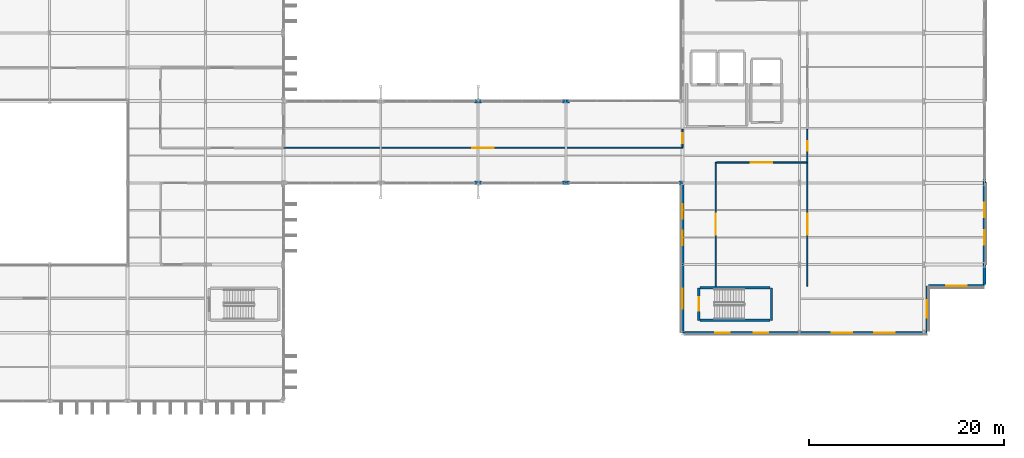
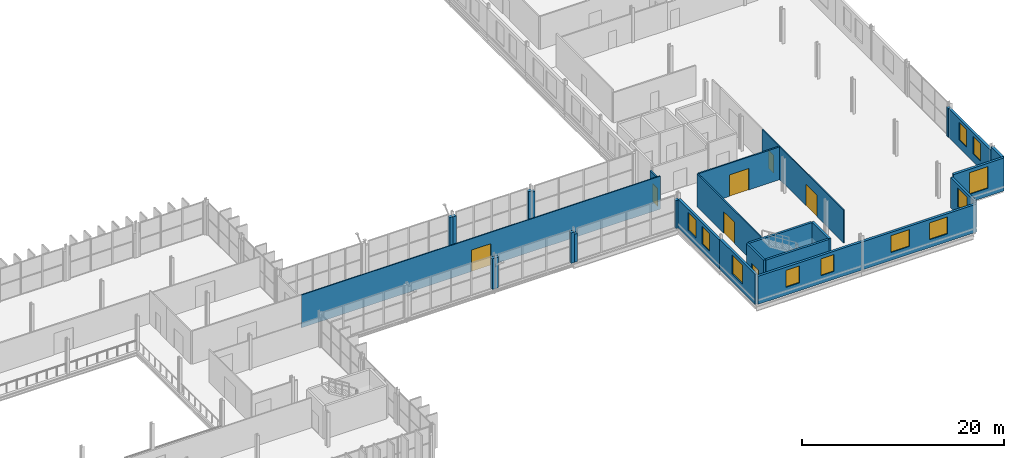
# One storey, part 86 of 101: 28 walls, 11 windows, 7 doors, 18 openings.
"""IFC4 building model written with IfcOpenShell, lengths in metres."""

from ifc_helpers import new_model, si_unit, direction, frame, frame_2d, origin, place, context, subcontext, project, spatial, rectangle, extrude, material, layer, layer_set, type_object, element, fill, save


model = new_model("IFC4")

# Units and contexts
model_context = context("Model", 3, precision=1e-05, world=origin(), true_north=direction((0.0, 1.0)))
body_context = subcontext(model_context, "Body", "Model", "MODEL_VIEW")
ifc_project = project(units=[si_unit("LENGTHUNIT", "METRE"), si_unit("AREAUNIT", "SQUARE_METRE"), si_unit("VOLUMEUNIT", "CUBIC_METRE"), si_unit("PLANEANGLEUNIT", "RADIAN"), si_unit("MASSUNIT", "GRAM", prefix="KILO")], contexts=[model_context])

# Site, building, storey
site_placement = place(None, origin())
site = spatial("IfcSite", under=ifc_project, at=site_placement, CompositionType="ELEMENT")
building_placement = place(site_placement, origin())
building = spatial("IfcBuilding", under=site, at=building_placement, Name="Vekula Escarpment Museum", CompositionType="ELEMENT")
storey_placement = place(building_placement, frame((0.0, 0.0, 18.0)))
storey = spatial("IfcBuildingStorey", under=building, at=storey_placement, Name="L04", CompositionType="ELEMENT", Elevation=18.0)

# Walls
ifc_material_1 = material(Name="Inkisi arkosic sandstone masonry", Category="masonry")
ifc_layer_1 = layer(ifc_material_1, 0.35009765625)
ifc_layer_set_1 = layer_set([ifc_layer_1], Name="Inkisi arkosic sandstone masonry")
wall_type_1 = type_object("IfcWallType", Name="WL-ALM-350", PredefinedType="SOLIDWALL", material=ifc_layer_set_1)
wall_1_placement = place(storey_placement, frame((145.639892578125, 68.0, 0.0), z_axis=(0.0, 0.0, 1.0), x_axis=(1.0, 0.0, 0.0)))
element("IfcWall", 1, at=wall_1_placement, inside=storey, type_object=wall_type_1, Name="Facade Jamb Pier L04-0717B", PredefinedType="SOLIDWALL", context=body_context, shape_type="SweptSolid", body=[
    extrude(rectangle(XDim=0.360107421875, YDim=0.35009765625, at=frame_2d((0.18017578125, 0.0))), origin(), (0.0, 0.0, 1.0), 3.705078125),
])
for number, where, z_axis, x_axis, name in (
    (2, (146.0, 68.0, 0.0), (0.0, 0.0, 1.0), (1.0, 0.0, 0.0), "Facade Jamb Pier L04-0718A"),
    (3, (154.639892578125, 68.0, 0.0), (0.0, 0.0, 1.0), (1.0, 0.0, 0.0), "Facade Jamb Pier L04-0719B"),
):
    element("IfcWall", number, at=place(storey_placement, frame(where, z_axis=z_axis, x_axis=x_axis)), inside=storey, type_object=wall_type_1, Name=name, PredefinedType="SOLIDWALL", context=body_context, shape_type="SweptSolid", body=[
        extrude(rectangle(XDim=0.360107421875, YDim=0.35009765625, at=frame_2d((0.18017578125, 0.0))), origin(), (0.0, 0.0, 1.0), 3.68505859375),
    ])
for number, where, z_axis, x_axis, name in (
    (4, (155.0, 68.0, 0.0), (0.0, 0.0, 1.0), (1.0, 0.0, 0.0), "Facade Jamb Pier L04-0720A"),
    (5, (166.639892578125, 68.0, 0.0), (0.0, 0.0, 1.0), (1.0, 0.0, 0.0), "Facade Jamb Pier L04-0721B"),
):
    element("IfcWall", number, at=place(storey_placement, frame(where, z_axis=z_axis, x_axis=x_axis)), inside=storey, type_object=wall_type_1, Name=name, PredefinedType="SOLIDWALL", context=body_context, shape_type="SweptSolid", body=[
        extrude(rectangle(XDim=0.360107421875, YDim=0.35009765625, at=frame_2d((0.18017578125, 0.0))), origin(), (0.0, 0.0, 1.0), 3.385009765625),
    ])
wall_2_placement = place(storey_placement, frame((198.0, 68.0, 0.0), z_axis=(0.0, 0.0, 1.0), x_axis=(0.0, 1.0, 0.0)))
element("IfcWall", 6, at=wall_2_placement, inside=storey, type_object=wall_type_1, Name="Facade Jamb Pier L04-0730A", PredefinedType="SOLIDWALL", context=body_context, shape_type="SweptSolid", body=[
    extrude(rectangle(XDim=0.360107421875, YDim=0.35009765625, at=frame_2d((0.18017578125, 0.0))), origin(), (0.0, 0.0, 1.0), 3.4951171875),
])
wall_3_placement = place(storey_placement, frame((155.360107421875, 76.39990234375, 0.0), z_axis=(0.0, 0.0, 1.0), x_axis=(-1.0, 0.0, 0.0)))
element("IfcWall", 7, at=wall_3_placement, inside=storey, type_object=wall_type_1, Name="Facade Jamb Pier L04-0750B", PredefinedType="SOLIDWALL", context=body_context, shape_type="SweptSolid", body=[
    extrude(rectangle(XDim=0.360107421875, YDim=0.35009765625, at=frame_2d((0.18017578125, 0.0))), origin(), (0.0, 0.0, 1.0), 3.385009765625),
])
for number, where, z_axis, x_axis, name in (
    (8, (155.0, 76.39990234375, 0.0), (0.0, 0.0, 1.0), (-1.0, 0.0, 0.0), "Facade Jamb Pier L04-0751A"),
    (9, (146.360107421875, 76.39990234375, 0.0), (0.0, 0.0, 1.0), (-1.0, 0.0, 0.0), "Facade Jamb Pier L04-0752B"),
):
    element("IfcWall", number, at=place(storey_placement, frame(where, z_axis=z_axis, x_axis=x_axis)), inside=storey, type_object=wall_type_1, Name=name, PredefinedType="SOLIDWALL", context=body_context, shape_type="SweptSolid", body=[
        extrude(rectangle(XDim=0.360107421875, YDim=0.35009765625, at=frame_2d((0.18017578125, 0.0))), origin(), (0.0, 0.0, 1.0), 3.574951171875),
    ])
wall_4_placement = place(storey_placement, frame((146.0, 76.39990234375, 0.0), z_axis=(0.0, 0.0, 1.0), x_axis=(-1.0, 0.0, 0.0)))
element("IfcWall", 10, at=wall_4_placement, inside=storey, type_object=wall_type_1, Name="Facade Jamb Pier L04-0753A", PredefinedType="SOLIDWALL", context=body_context, shape_type="SweptSolid", body=[
    extrude(rectangle(XDim=0.360107421875, YDim=0.35009765625, at=frame_2d((0.18017578125, 0.0))), origin(), (0.0, 0.0, 1.0), 3.594970703125),
])

# Wall, opening, door
ifc_material_2 = material(Name="Concrete C35/45", Category="concrete")
ifc_layer_2 = layer(ifc_material_2, 0.25)
ifc_layer_set_2 = layer_set([ifc_layer_2], Name="Concrete C35/45")
wall_type_2 = type_object("IfcWallType", Name="WL-CORE-250", PredefinedType="SHEAR", material=ifc_layer_set_2)
wall_5_placement = place(storey_placement, frame((168.675048828125, 53.875, 0.0), z_axis=(0.0, 0.0, 1.0), x_axis=(0.0, 1.0, 0.0)))
wall_5 = element("IfcWall", 11, at=wall_5_placement, inside=storey, type_object=wall_type_2, Name="Stair Core Wall ST-02 L04 W", PredefinedType="SHEAR", context=body_context, shape_type="SweptSolid", body=[
    extrude(rectangle(XDim=3.35009765625, YDim=0.25, at=frame_2d((1.675048828125, 0.0))), origin(), (0.0, 0.0, 1.0), 3.97998046875),
])
opening_1_placement = place(wall_5_placement, frame((0.97509765625, 0.0, 0.0)))
opening_1 = element("IfcOpeningElement", 12, at=opening_1_placement, cuts=wall_5, Name="Opening DR-FD60", PredefinedType="OPENING", context=body_context, shape_type="SweptSolid", body=[
    extrude(rectangle(XDim=1.39990234375, YDim=2.199951171875, at=frame_2d((0.699951171875, 1.10009765625))), frame((0.0, 0.135009765625, 0.0), z_axis=(0.0, -1.0, 0.0), x_axis=(1.0, 0.0, 0.0)), (0.0, 0.0, 1.0), 0.27001953125),
])
ifc_material_3 = material(Name="Fire-rated steel stair door", Category="steel")
door_type_1 = type_object("IfcDoorType", Name="DR-STAIR-1400x2200", OperationType="NOTDEFINED", PredefinedType="DOOR", material=ifc_material_3)
door_1_placement = place(opening_1_placement, origin())
door_1 = element("IfcDoor", 13, at=door_1_placement, inside=storey, type_object=door_type_1, Name="Protected Exit Stair Door ST-02 L04", OperationType="SINGLE_SWING_RIGHT", OverallHeight=2.199951171875, OverallWidth=1.39990234375, PredefinedType="DOOR", context=body_context, shape_type="SweptSolid", body=[
    extrude(rectangle(XDim=1.39990234375, YDim=2.199951171875, at=frame_2d((0.699951171875, 1.10009765625))), frame((0.0, 0.02490234375, 0.0), z_axis=(0.0, -1.0, 0.0), x_axis=(1.0, 0.0, 0.0)), (0.0, 0.0, 1.0), 0.050048828125),
])
fill(opening_1, door_1)

# Walls
wall_6_placement = place(storey_placement, frame((176.125, 53.875, 0.0), z_axis=(0.0, 0.0, 1.0), x_axis=(0.0, 1.0, 0.0)))
element("IfcWall", 14, at=wall_6_placement, inside=storey, type_object=wall_type_2, Name="Stair Core Wall ST-02 L04 E", PredefinedType="SHEAR", context=body_context, shape_type="SweptSolid", body=[
    extrude(rectangle(XDim=3.35009765625, YDim=0.25, at=frame_2d((1.675048828125, 0.0))), origin(), (0.0, 0.0, 1.0), 3.97998046875),
])
for number, where, z_axis, x_axis, name in (
    (15, (168.803955078125, 53.875, 0.0), (0.0, 0.0, 1.0), (1.0, 0.0, 0.0), "Stair Core Wall ST-02 L04 S"),
    (16, (168.803955078125, 57.22509765625, 0.0), (0.0, 0.0, 1.0), (1.0, 0.0, 0.0), "Stair Core Wall ST-02 L04 N"),
):
    element("IfcWall", number, at=place(storey_placement, frame(where, z_axis=z_axis, x_axis=x_axis)), inside=storey, type_object=wall_type_2, Name=name, PredefinedType="SHEAR", context=body_context, shape_type="SweptSolid", body=[
        extrude(rectangle(XDim=7.192138671875, YDim=0.25, at=frame_2d((3.59619140625, 0.0))), origin(), (0.0, 0.0, 1.0), 3.97998046875),
    ])

# Wall, openings, windows
ifc_material_4 = material(Name="Inkisi arkosic sandstone masonry", Category="masonry")
ifc_layer_3 = layer(ifc_material_4, 0.280029296875)
ifc_layer_set_3 = layer_set([ifc_layer_3], Name="Inkisi arkosic sandstone masonry")
wall_type_3 = type_object("IfcWallType", Name="WL-CUM-280", PredefinedType="SOLIDWALL", material=ifc_layer_set_3)
wall_7_placement = place(storey_placement, frame((167.0, 59.60009765625, 0.0), z_axis=(0.0, 0.0, 1.0), x_axis=(0.0, 1.0, 0.0)))
wall_7 = element("IfcWall", 17, at=wall_7_placement, inside=storey, type_object=wall_type_3, Name="Exterior Wall WL-EXT-L04-0722", PredefinedType="SOLIDWALL", context=body_context, shape_type="SweptSolid", body=[
    extrude(rectangle(XDim=8.220947265625, YDim=0.280029296875, at=frame_2d((4.1103515625, 0.0))), origin(), (0.0, 0.0, 1.0), 3.4951171875),
])
opening_2_placement = place(wall_7_placement, frame((1.990234375, 0.0, 0.949951171875)))
opening_2 = element("IfcOpeningElement", 18, at=opening_2_placement, cuts=wall_7, Name="Opening WN-06", PredefinedType="OPENING", context=body_context, shape_type="SweptSolid", body=[
    extrude(rectangle(XDim=1.5, YDim=2.14990234375, at=frame_2d((0.75, 1.074951171875))), frame((0.0, 0.14990234375, 0.0), z_axis=(0.0, -1.0, 0.0), x_axis=(1.0, 0.0, 0.0)), (0.0, 0.0, 1.0), 0.300048828125),
])
opening_3_placement = place(wall_7_placement, frame((4.730712890625, 0.0, 0.949951171875)))
opening_3 = element("IfcOpeningElement", 19, at=opening_3_placement, cuts=wall_7, Name="Opening WN-06", PredefinedType="OPENING", context=body_context, shape_type="SweptSolid", body=[
    extrude(rectangle(XDim=1.5, YDim=2.14990234375, at=frame_2d((0.75, 1.074951171875))), frame((0.0, 0.14990234375, 0.0), z_axis=(0.0, -1.0, 0.0), x_axis=(1.0, 0.0, 0.0)), (0.0, 0.0, 1.0), 0.300048828125),
])
ifc_material_5 = material(Name="Double solar-control low-E glass", Category="glass")
window_type_1 = type_object("IfcWindowType", Name="WN-CUMBA-15x24", PartitioningType="SINGLE_PANEL", PredefinedType="WINDOW", material=ifc_material_5)
window_1_placement = place(opening_2_placement, origin())
window_1 = element("IfcWindow", 20, at=window_1_placement, inside=storey, type_object=window_type_1, Name="Window L04-0367", OverallHeight=2.14990234375, OverallWidth=1.5, PartitioningType="SINGLE_PANEL", PredefinedType="WINDOW", context=body_context, shape_type="SweptSolid", body=[
    extrude(rectangle(XDim=1.5, YDim=2.14990234375, at=frame_2d((0.75, 1.074951171875))), frame((0.0, 0.030029296875, 0.0), z_axis=(0.0, -1.0, 0.0), x_axis=(1.0, 0.0, 0.0)), (0.0, 0.0, 1.0), 0.06005859375),
])
fill(opening_2, window_1)
window_2_placement = place(opening_3_placement, origin())
window_2 = element("IfcWindow", 21, at=window_2_placement, inside=storey, type_object=window_type_1, Name="Window L04-0368", OverallHeight=2.14990234375, OverallWidth=1.5, PartitioningType="SINGLE_PANEL", PredefinedType="WINDOW", context=body_context, shape_type="SweptSolid", body=[
    extrude(rectangle(XDim=1.5, YDim=2.14990234375, at=frame_2d((0.75, 1.074951171875))), frame((0.0, 0.030029296875, 0.0), z_axis=(0.0, -1.0, 0.0), x_axis=(1.0, 0.0, 0.0)), (0.0, 0.0, 1.0), 0.06005859375),
])
fill(opening_3, window_2)

# Wall, opening, window
wall_8_placement = place(storey_placement, frame((167.0, 52.60009765625, 0.0), z_axis=(0.0, 0.0, 1.0), x_axis=(0.0, 1.0, 0.0)))
wall_8 = element("IfcWall", 22, at=wall_8_placement, inside=storey, type_object=wall_type_3, Name="Exterior Wall WL-EXT-L04-0723", PredefinedType="SOLIDWALL", context=body_context, shape_type="SweptSolid", body=[
    extrude(rectangle(XDim=7.0, YDim=0.280029296875, at=frame_2d((3.5, 0.0))), origin(), (0.0, 0.0, 1.0), 3.64501953125),
])
opening_4_placement = place(wall_8_placement, frame((2.449951171875, 0.0, 0.949951171875)))
opening_4 = element("IfcOpeningElement", 23, at=opening_4_placement, cuts=wall_8, Name="Opening WN-08", PredefinedType="OPENING", context=body_context, shape_type="SweptSolid", body=[
    extrude(rectangle(XDim=2.10009765625, YDim=2.2900390625, at=frame_2d((1.050048828125, 1.14501953125))), frame((0.0, 0.14990234375, 0.0), z_axis=(0.0, -1.0, 0.0), x_axis=(1.0, 0.0, 0.0)), (0.0, 0.0, 1.0), 0.300048828125),
])
ifc_material_6 = material(Name="Double solar-control low-E glass", Category="glass")
window_type_2 = type_object("IfcWindowType", Name="WN-CUMBA-21x28", PartitioningType="DOUBLE_PANEL_VERTICAL", PredefinedType="WINDOW", material=ifc_material_6)
window_3_placement = place(opening_4_placement, origin())
window_3 = element("IfcWindow", 24, at=window_3_placement, inside=storey, type_object=window_type_2, Name="Window L04-0369", OverallHeight=2.2900390625, OverallWidth=2.10009765625, PartitioningType="SINGLE_PANEL", PredefinedType="WINDOW", context=body_context, shape_type="SweptSolid", body=[
    extrude(rectangle(XDim=2.10009765625, YDim=2.2900390625, at=frame_2d((1.050048828125, 1.14501953125))), frame((0.0, 0.030029296875, 0.0), z_axis=(0.0, -1.0, 0.0), x_axis=(1.0, 0.0, 0.0)), (0.0, 0.0, 1.0), 0.06005859375),
])
fill(opening_4, window_3)

# Wall, openings, windows
wall_9_placement = place(storey_placement, frame((179.0, 52.60009765625, 0.0), z_axis=(0.0, 0.0, 1.0), x_axis=(-1.0, 0.0, 0.0)))
wall_9 = element("IfcWall", 25, at=wall_9_placement, inside=storey, type_object=wall_type_3, Name="Exterior Wall WL-EXT-L04-0724", PredefinedType="SOLIDWALL", context=body_context, shape_type="SweptSolid", body=[
    extrude(rectangle(XDim=11.85595703125, YDim=0.280029296875, at=frame_2d((5.927978515625, 0.0))), origin(), (0.0, 0.0, 1.0), 3.385009765625),
])
opening_5_placement = place(wall_9_placement, frame((3.201904296875, 0.0, 0.949951171875)))
opening_5 = element("IfcOpeningElement", 26, at=opening_5_placement, cuts=wall_9, Name="Opening WN-06", PredefinedType="OPENING", context=body_context, shape_type="SweptSolid", body=[
    extrude(rectangle(XDim=1.5, YDim=2.0400390625, at=frame_2d((0.75, 1.02001953125))), frame((0.0, 0.14990234375, 0.0), z_axis=(0.0, -1.0, 0.0), x_axis=(1.0, 0.0, 0.0)), (0.0, 0.0, 1.0), 0.300048828125),
])
opening_6_placement = place(wall_9_placement, frame((7.154052734375, 0.0, 0.949951171875)))
opening_6 = element("IfcOpeningElement", 27, at=opening_6_placement, cuts=wall_9, Name="Opening WN-06", PredefinedType="OPENING", context=body_context, shape_type="SweptSolid", body=[
    extrude(rectangle(XDim=1.5, YDim=2.0400390625, at=frame_2d((0.75, 1.02001953125))), frame((0.0, 0.14990234375, 0.0), z_axis=(0.0, -1.0, 0.0), x_axis=(1.0, 0.0, 0.0)), (0.0, 0.0, 1.0), 0.300048828125),
])
window_4_placement = place(opening_5_placement, origin())
window_4 = element("IfcWindow", 28, at=window_4_placement, inside=storey, type_object=window_type_1, Name="Window L04-0370", OverallHeight=2.0400390625, OverallWidth=1.5, PartitioningType="SINGLE_PANEL", PredefinedType="WINDOW", context=body_context, shape_type="SweptSolid", body=[
    extrude(rectangle(XDim=1.5, YDim=2.0400390625, at=frame_2d((0.75, 1.02001953125))), frame((0.0, 0.030029296875, 0.0), z_axis=(0.0, -1.0, 0.0), x_axis=(1.0, 0.0, 0.0)), (0.0, 0.0, 1.0), 0.06005859375),
])
fill(opening_5, window_4)
window_5_placement = place(opening_6_placement, origin())
window_5 = element("IfcWindow", 29, at=window_5_placement, inside=storey, type_object=window_type_1, Name="Window L04-0371", OverallHeight=2.0400390625, OverallWidth=1.5, PartitioningType="SINGLE_PANEL", PredefinedType="WINDOW", context=body_context, shape_type="SweptSolid", body=[
    extrude(rectangle(XDim=1.5, YDim=2.0400390625, at=frame_2d((0.75, 1.02001953125))), frame((0.0, 0.030029296875, 0.0), z_axis=(0.0, -1.0, 0.0), x_axis=(1.0, 0.0, 0.0)), (0.0, 0.0, 1.0), 0.06005859375),
])
fill(opening_6, window_5)

wall_10_placement = place(storey_placement, frame((192.110107421875, 52.60009765625, 0.0), z_axis=(0.0, 0.0, 1.0), x_axis=(-1.0, 0.0, 0.0)))
wall_10 = element("IfcWall", 30, at=wall_10_placement, inside=storey, type_object=wall_type_3, Name="Exterior Wall WL-EXT-L04-0725", PredefinedType="SOLIDWALL", context=body_context, shape_type="SweptSolid", body=[
    extrude(rectangle(XDim=13.110107421875, YDim=0.280029296875, at=frame_2d((6.55517578125, 0.0))), origin(), (0.0, 0.0, 1.0), 3.385009765625),
])
opening_7_placement = place(wall_10_placement, frame((3.320068359375, 0.0, 0.949951171875)))
opening_7 = element("IfcOpeningElement", 31, at=opening_7_placement, cuts=wall_10, Name="Opening WN-08", PredefinedType="OPENING", context=body_context, shape_type="SweptSolid", body=[
    extrude(rectangle(XDim=2.10009765625, YDim=2.0400390625, at=frame_2d((1.050048828125, 1.02001953125))), frame((0.0, 0.14990234375, 0.0), z_axis=(0.0, -1.0, 0.0), x_axis=(1.0, 0.0, 0.0)), (0.0, 0.0, 1.0), 0.300048828125),
])
opening_8_placement = place(wall_10_placement, frame((7.68994140625, 0.0, 0.949951171875)))
opening_8 = element("IfcOpeningElement", 32, at=opening_8_placement, cuts=wall_10, Name="Opening WN-08", PredefinedType="OPENING", context=body_context, shape_type="SweptSolid", body=[
    extrude(rectangle(XDim=2.10009765625, YDim=2.0400390625, at=frame_2d((1.050048828125, 1.02001953125))), frame((0.0, 0.14990234375, 0.0), z_axis=(0.0, -1.0, 0.0), x_axis=(1.0, 0.0, 0.0)), (0.0, 0.0, 1.0), 0.300048828125),
])
window_6_placement = place(opening_7_placement, origin())
window_6 = element("IfcWindow", 33, at=window_6_placement, inside=storey, type_object=window_type_2, Name="Window L04-0372", OverallHeight=2.0400390625, OverallWidth=2.10009765625, PartitioningType="SINGLE_PANEL", PredefinedType="WINDOW", context=body_context, shape_type="SweptSolid", body=[
    extrude(rectangle(XDim=2.10009765625, YDim=2.0400390625, at=frame_2d((1.050048828125, 1.02001953125))), frame((0.0, 0.030029296875, 0.0), z_axis=(0.0, -1.0, 0.0), x_axis=(1.0, 0.0, 0.0)), (0.0, 0.0, 1.0), 0.06005859375),
])
fill(opening_7, window_6)
window_7_placement = place(opening_8_placement, origin())
window_7 = element("IfcWindow", 34, at=window_7_placement, inside=storey, type_object=window_type_2, Name="Window L04-0373", OverallHeight=2.0400390625, OverallWidth=2.10009765625, PartitioningType="SINGLE_PANEL", PredefinedType="WINDOW", context=body_context, shape_type="SweptSolid", body=[
    extrude(rectangle(XDim=2.10009765625, YDim=2.0400390625, at=frame_2d((1.050048828125, 1.02001953125))), frame((0.0, 0.030029296875, 0.0), z_axis=(0.0, -1.0, 0.0), x_axis=(1.0, 0.0, 0.0)), (0.0, 0.0, 1.0), 0.06005859375),
])
fill(opening_8, window_7)

# Wall, opening, window
wall_11_placement = place(storey_placement, frame((192.110107421875, 57.39990234375, 0.0), z_axis=(0.0, 0.0, 1.0), x_axis=(0.0, -1.0, 0.0)))
wall_11 = element("IfcWall", 35, at=wall_11_placement, inside=storey, type_object=wall_type_3, Name="Exterior Wall WL-EXT-L04-0726", PredefinedType="SOLIDWALL", context=body_context, shape_type="SweptSolid", body=[
    extrude(rectangle(XDim=4.656005859375, YDim=0.280029296875, at=frame_2d((2.328125, 0.0))), origin(), (0.0, 0.0, 1.0), 3.64501953125),
])
opening_9_placement = place(wall_11_placement, frame((1.427978515625, 0.0, 0.949951171875)))
opening_9 = element("IfcOpeningElement", 36, at=opening_9_placement, cuts=wall_11, Name="Opening WN-07", PredefinedType="OPENING", context=body_context, shape_type="SweptSolid", body=[
    extrude(rectangle(XDim=1.800048828125, YDim=2.2900390625, at=frame_2d((0.89990234375, 1.14501953125))), frame((0.0, 0.14990234375, 0.0), z_axis=(0.0, -1.0, 0.0), x_axis=(1.0, 0.0, 0.0)), (0.0, 0.0, 1.0), 0.300048828125),
])
ifc_material_7 = material(Name="Double solar-control low-E glass", Category="glass")
window_type_3 = type_object("IfcWindowType", Name="WN-CUMBA-18x26", PartitioningType="DOUBLE_PANEL_VERTICAL", PredefinedType="WINDOW", material=ifc_material_7)
window_8_placement = place(opening_9_placement, origin())
window_8 = element("IfcWindow", 37, at=window_8_placement, inside=storey, type_object=window_type_3, Name="Window L04-0374", OverallHeight=2.2900390625, OverallWidth=1.800048828125, PartitioningType="SINGLE_PANEL", PredefinedType="WINDOW", context=body_context, shape_type="SweptSolid", body=[
    extrude(rectangle(XDim=1.800048828125, YDim=2.2900390625, at=frame_2d((0.89990234375, 1.14501953125))), frame((0.0, 0.030029296875, 0.0), z_axis=(0.0, -1.0, 0.0), x_axis=(1.0, 0.0, 0.0)), (0.0, 0.0, 1.0), 0.06005859375),
])
fill(opening_9, window_8)

wall_12_placement = place(storey_placement, frame((198.0, 57.39990234375, 0.0), z_axis=(0.0, 0.0, 1.0), x_axis=(-1.0, 0.0, 0.0)))
wall_12 = element("IfcWall", 38, at=wall_12_placement, inside=storey, type_object=wall_type_3, Name="Exterior Wall WL-EXT-L04-0727", PredefinedType="SOLIDWALL", context=body_context, shape_type="SweptSolid", body=[
    extrude(rectangle(XDim=5.74609375, YDim=0.280029296875, at=frame_2d((2.873046875, 0.0))), origin(), (0.0, 0.0, 1.0), 3.97998046875),
])
opening_10_placement = place(wall_12_placement, frame((1.822998046875, 0.0, 0.949951171875)))
opening_10 = element("IfcOpeningElement", 39, at=opening_10_placement, cuts=wall_12, Name="Opening WN-08", PredefinedType="OPENING", context=body_context, shape_type="SweptSolid", body=[
    extrude(rectangle(XDim=2.10009765625, YDim=2.6298828125, at=frame_2d((1.050048828125, 1.31494140625))), frame((0.0, 0.14990234375, 0.0), z_axis=(0.0, -1.0, 0.0), x_axis=(1.0, 0.0, 0.0)), (0.0, 0.0, 1.0), 0.300048828125),
])
window_9_placement = place(opening_10_placement, origin())
window_9 = element("IfcWindow", 40, at=window_9_placement, inside=storey, type_object=window_type_2, Name="Window L04-0375", OverallHeight=2.6298828125, OverallWidth=2.10009765625, PartitioningType="SINGLE_PANEL", PredefinedType="WINDOW", context=body_context, shape_type="SweptSolid", body=[
    extrude(rectangle(XDim=2.10009765625, YDim=2.6298828125, at=frame_2d((1.050048828125, 1.31494140625))), frame((0.0, 0.030029296875, 0.0), z_axis=(0.0, -1.0, 0.0), x_axis=(1.0, 0.0, 0.0)), (0.0, 0.0, 1.0), 0.06005859375),
])
fill(opening_10, window_9)

# Wall
wall_13_placement = place(storey_placement, frame((198.0, 59.60009765625, 0.0), z_axis=(0.0, 0.0, 1.0), x_axis=(0.0, -1.0, 0.0)))
element("IfcWall", 41, at=wall_13_placement, inside=storey, type_object=wall_type_3, Name="Exterior Wall WL-EXT-L04-0728", PredefinedType="SOLIDWALL", context=body_context, shape_type="SweptSolid", body=[
    extrude(rectangle(XDim=2.05615234375, YDim=0.280029296875, at=frame_2d((1.028076171875, 0.0))), origin(), (0.0, 0.0, 1.0), 3.97998046875),
])

# Wall, openings, windows
wall_14_placement = place(storey_placement, frame((198.0, 68.0, 0.0), z_axis=(0.0, 0.0, 1.0), x_axis=(0.0, -1.0, 0.0)))
wall_14 = element("IfcWall", 42, at=wall_14_placement, inside=storey, type_object=wall_type_3, Name="Exterior Wall WL-EXT-L04-0729", PredefinedType="SOLIDWALL", context=body_context, shape_type="SweptSolid", body=[
    extrude(rectangle(XDim=8.39990234375, YDim=0.280029296875, at=frame_2d((4.199951171875, 0.0))), origin(), (0.0, 0.0, 1.0), 3.4951171875),
])
opening_11_placement = place(wall_14_placement, frame((2.050048828125, 0.0, 0.949951171875)))
opening_11 = element("IfcOpeningElement", 43, at=opening_11_placement, cuts=wall_14, Name="Opening WN-06", PredefinedType="OPENING", context=body_context, shape_type="SweptSolid", body=[
    extrude(rectangle(XDim=1.5, YDim=2.14990234375, at=frame_2d((0.75, 1.074951171875))), frame((0.0, 0.14990234375, 0.0), z_axis=(0.0, -1.0, 0.0), x_axis=(1.0, 0.0, 0.0)), (0.0, 0.0, 1.0), 0.300048828125),
])
opening_12_placement = place(wall_14_placement, frame((4.85009765625, 0.0, 0.949951171875)))
opening_12 = element("IfcOpeningElement", 44, at=opening_12_placement, cuts=wall_14, Name="Opening WN-06", PredefinedType="OPENING", context=body_context, shape_type="SweptSolid", body=[
    extrude(rectangle(XDim=1.5, YDim=2.14990234375, at=frame_2d((0.75, 1.074951171875))), frame((0.0, 0.14990234375, 0.0), z_axis=(0.0, -1.0, 0.0), x_axis=(1.0, 0.0, 0.0)), (0.0, 0.0, 1.0), 0.300048828125),
])
window_10_placement = place(opening_11_placement, origin())
window_10 = element("IfcWindow", 45, at=window_10_placement, inside=storey, type_object=window_type_1, Name="Window L04-0376", OverallHeight=2.14990234375, OverallWidth=1.5, PartitioningType="SINGLE_PANEL", PredefinedType="WINDOW", context=body_context, shape_type="SweptSolid", body=[
    extrude(rectangle(XDim=1.5, YDim=2.14990234375, at=frame_2d((0.75, 1.074951171875))), frame((0.0, 0.030029296875, 0.0), z_axis=(0.0, -1.0, 0.0), x_axis=(1.0, 0.0, 0.0)), (0.0, 0.0, 1.0), 0.06005859375),
])
fill(opening_11, window_10)
window_11_placement = place(opening_12_placement, origin())
window_11 = element("IfcWindow", 46, at=window_11_placement, inside=storey, type_object=window_type_1, Name="Window L04-0377", OverallHeight=2.14990234375, OverallWidth=1.5, PartitioningType="SINGLE_PANEL", PredefinedType="WINDOW", context=body_context, shape_type="SweptSolid", body=[
    extrude(rectangle(XDim=1.5, YDim=2.14990234375, at=frame_2d((0.75, 1.074951171875))), frame((0.0, 0.030029296875, 0.0), z_axis=(0.0, -1.0, 0.0), x_axis=(1.0, 0.0, 0.0)), (0.0, 0.0, 1.0), 0.06005859375),
])
fill(opening_12, window_11)

# Wall, opening, door
ifc_material_8 = material(Name="Lightweight studio partition", Category="gypsum")
ifc_layer_4 = layer(ifc_material_8, 0.1201171875)
ifc_layer_set_4 = layer_set([ifc_layer_4], Name="Lightweight studio partition")
wall_type_4 = type_object("IfcWallType", Name="WL-PART-120", PredefinedType="PARTITIONING", material=ifc_layer_set_4)
wall_15_placement = place(storey_placement, frame((126.0, 71.60009765625, 0.0), z_axis=(0.0, 0.0, 1.0), x_axis=(1.0, 0.0, 0.0)))
wall_15 = element("IfcWall", 47, at=wall_15_placement, inside=storey, type_object=wall_type_4, Name="Interior Partition WL-INT-L04-0042", PredefinedType="PARTITIONING", context=body_context, shape_type="SweptSolid", body=[
    extrude(rectangle(XDim=41.0, YDim=0.1201171875, at=frame_2d((20.5, 0.0))), origin(), (0.0, 0.0, 1.0), 3.97998046875),
])
opening_13_placement = place(wall_15_placement, frame((19.39990234375, 0.0, 0.0)))
opening_13 = element("IfcOpeningElement", 48, at=opening_13_placement, cuts=wall_15, Name="Opening DR-GL22", PredefinedType="OPENING", context=body_context, shape_type="SweptSolid", body=[
    extrude(rectangle(XDim=2.199951171875, YDim=2.60009765625, at=frame_2d((1.10009765625, 1.300048828125))), frame((0.0, 0.070068359375, 0.0), z_axis=(0.0, -1.0, 0.0), x_axis=(1.0, 0.0, 0.0)), (0.0, 0.0, 1.0), 0.14013671875),
])
ifc_material_9 = material(Name="Double acoustic timber gallery door", Category="wood")
door_type_2 = type_object("IfcDoorType", Name="DR-GAL-2200x2600", OperationType="NOTDEFINED", PredefinedType="DOOR", material=ifc_material_9)
door_2_placement = place(opening_13_placement, origin())
door_2 = element("IfcDoor", 49, at=door_2_placement, inside=storey, type_object=door_type_2, Name="Interior Door L04-038", OperationType="SINGLE_SWING_RIGHT", OverallHeight=2.60009765625, OverallWidth=2.199951171875, PredefinedType="DOOR", context=body_context, shape_type="SweptSolid", body=[
    extrude(rectangle(XDim=2.199951171875, YDim=2.60009765625, at=frame_2d((1.10009765625, 1.300048828125))), frame((0.0, 0.02490234375, 0.0), z_axis=(0.0, -1.0, 0.0), x_axis=(1.0, 0.0, 0.0)), (0.0, 0.0, 1.0), 0.050048828125),
])
fill(opening_13, door_2)

wall_16_placement = place(storey_placement, frame((179.800048828125, 70.10009765625, 0.0), z_axis=(0.0, 0.0, 1.0), x_axis=(0.0, 1.0, 0.0)))
wall_16 = element("IfcWall", 50, at=wall_16_placement, inside=storey, type_object=wall_type_4, Name="Interior Partition WL-INT-L04-0045", PredefinedType="PARTITIONING", context=body_context, shape_type="SweptSolid", body=[
    extrude(rectangle(XDim=3.39990234375, YDim=0.1201171875, at=frame_2d((1.699951171875, 0.0))), origin(), (0.0, 0.0, 1.0), 3.97998046875),
])
opening_14_placement = place(wall_16_placement, frame((1.199951171875, 0.0, 0.0)))
opening_14 = element("IfcOpeningElement", 51, at=opening_14_placement, cuts=wall_16, Name="Opening DR-OF10", PredefinedType="OPENING", context=body_context, shape_type="SweptSolid", body=[
    extrude(rectangle(XDim=1.0, YDim=2.14990234375, at=frame_2d((0.5, 1.074951171875))), frame((0.0, 0.070068359375, 0.0), z_axis=(0.0, -1.0, 0.0), x_axis=(1.0, 0.0, 0.0)), (0.0, 0.0, 1.0), 0.14013671875),
])
ifc_material_10 = material(Name="Solid core timber study door", Category="wood")
door_type_3 = type_object("IfcDoorType", Name="DR-OFF-1000x2150", OperationType="NOTDEFINED", PredefinedType="DOOR", material=ifc_material_10)
door_3_placement = place(opening_14_placement, origin())
door_3 = element("IfcDoor", 52, at=door_3_placement, inside=storey, type_object=door_type_3, Name="Interior Door L04-041", OperationType="SINGLE_SWING_LEFT", OverallHeight=2.14990234375, OverallWidth=1.0, PredefinedType="DOOR", context=body_context, shape_type="SweptSolid", body=[
    extrude(rectangle(XDim=1.0, YDim=2.14990234375, at=frame_2d((0.5, 1.074951171875))), frame((0.0, 0.02490234375, 0.0), z_axis=(0.0, -1.0, 0.0), x_axis=(1.0, 0.0, 0.0)), (0.0, 0.0, 1.0), 0.050048828125),
])
fill(opening_14, door_3)

wall_17_placement = place(storey_placement, frame((179.800048828125, 57.39990234375, 0.0), z_axis=(0.0, 0.0, 1.0), x_axis=(0.0, 1.0, 0.0)))
wall_17 = element("IfcWall", 53, at=wall_17_placement, inside=storey, type_object=wall_type_4, Name="Interior Partition WL-INT-L04-0051", PredefinedType="PARTITIONING", context=body_context, shape_type="SweptSolid", body=[
    extrude(rectangle(XDim=12.7001953125, YDim=0.1201171875, at=frame_2d((6.35009765625, 0.0))), origin(), (0.0, 0.0, 1.0), 3.97998046875),
])
opening_15_placement = place(wall_17_placement, frame((5.25, 0.0, 0.0)))
opening_15 = element("IfcOpeningElement", 54, at=opening_15_placement, cuts=wall_17, Name="Opening DR-GL22", PredefinedType="OPENING", context=body_context, shape_type="SweptSolid", body=[
    extrude(rectangle(XDim=2.199951171875, YDim=2.60009765625, at=frame_2d((1.10009765625, 1.300048828125))), frame((0.0, 0.070068359375, 0.0), z_axis=(0.0, -1.0, 0.0), x_axis=(1.0, 0.0, 0.0)), (0.0, 0.0, 1.0), 0.14013671875),
])
door_4_placement = place(opening_15_placement, origin())
door_4 = element("IfcDoor", 55, at=door_4_placement, inside=storey, type_object=door_type_2, Name="Interior Door L04-046", OperationType="SINGLE_SWING_RIGHT", OverallHeight=2.60009765625, OverallWidth=2.199951171875, PredefinedType="DOOR", context=body_context, shape_type="SweptSolid", body=[
    extrude(rectangle(XDim=2.199951171875, YDim=2.60009765625, at=frame_2d((1.10009765625, 1.300048828125))), frame((0.0, 0.02490234375, 0.0), z_axis=(0.0, -1.0, 0.0), x_axis=(1.0, 0.0, 0.0)), (0.0, 0.0, 1.0), 0.050048828125),
])
fill(opening_15, door_4)

ifc_material_11 = material(Name="Gypsum board dry-lined partition", Category="gypsum")
ifc_layer_5 = layer(ifc_material_11, 0.14990234375)
ifc_layer_set_5 = layer_set([ifc_layer_5], Name="Gypsum board dry-lined partition")
wall_type_5 = type_object("IfcWallType", Name="WL-PART-150", PredefinedType="PARTITIONING", material=ifc_layer_set_5)
wall_18_placement = place(storey_placement, frame((170.39990234375, 57.39990234375, 0.0), z_axis=(0.0, 0.0, 1.0), x_axis=(0.0, 1.0, 0.0)))
wall_18 = element("IfcWall", 56, at=wall_18_placement, inside=storey, type_object=wall_type_5, Name="Interior Partition WL-INT-L04-0044", PredefinedType="PARTITIONING", context=body_context, shape_type="SweptSolid", body=[
    extrude(rectangle(XDim=12.7001953125, YDim=0.14990234375, at=frame_2d((6.35009765625, 0.0))), origin(), (0.0, 0.0, 1.0), 3.97998046875),
])
opening_16_placement = place(wall_18_placement, frame((5.25, 0.0, 0.0)))
opening_16 = element("IfcOpeningElement", 57, at=opening_16_placement, cuts=wall_18, Name="Opening DR-GL22", PredefinedType="OPENING", context=body_context, shape_type="SweptSolid", body=[
    extrude(rectangle(XDim=2.199951171875, YDim=2.60009765625, at=frame_2d((1.10009765625, 1.300048828125))), frame((0.0, 0.0849609375, 0.0), z_axis=(0.0, -1.0, 0.0), x_axis=(1.0, 0.0, 0.0)), (0.0, 0.0, 1.0), 0.169921875),
])
door_5_placement = place(opening_16_placement, origin())
door_5 = element("IfcDoor", 58, at=door_5_placement, inside=storey, type_object=door_type_2, Name="Interior Door L04-040", OperationType="SINGLE_SWING_RIGHT", OverallHeight=2.60009765625, OverallWidth=2.199951171875, PredefinedType="DOOR", context=body_context, shape_type="SweptSolid", body=[
    extrude(rectangle(XDim=2.199951171875, YDim=2.60009765625, at=frame_2d((1.10009765625, 1.300048828125))), frame((0.0, 0.02490234375, 0.0), z_axis=(0.0, -1.0, 0.0), x_axis=(1.0, 0.0, 0.0)), (0.0, 0.0, 1.0), 0.050048828125),
])
fill(opening_16, door_5)

ifc_material_12 = material(Name="Gypsum board gallery partition", Category="gypsum")
ifc_layer_6 = layer(ifc_material_12, 0.159912109375)
ifc_layer_set_6 = layer_set([ifc_layer_6], Name="Gypsum board gallery partition")
wall_type_6 = type_object("IfcWallType", Name="WL-PART-160", PredefinedType="PARTITIONING", material=ifc_layer_set_6)
wall_19_placement = place(storey_placement, frame((167.0, 71.6640625, 0.0), z_axis=(0.0, 0.0, 1.0), x_axis=(0.0, 1.0, 0.0)))
wall_19 = element("IfcWall", 59, at=wall_19_placement, inside=storey, type_object=wall_type_6, Name="Interior Partition WL-INT-L04-0043", PredefinedType="PARTITIONING", context=body_context, shape_type="SweptSolid", body=[
    extrude(rectangle(XDim=1.8359375, YDim=0.159912109375, at=frame_2d((0.91796875, 0.0))), origin(), (0.0, 0.0, 1.0), 3.4951171875),
])
opening_17_placement = place(wall_19_placement, frame((0.41796875, 0.0, 0.0)))
opening_17 = element("IfcOpeningElement", 60, at=opening_17_placement, cuts=wall_19, Name="Opening DR-OF10", PredefinedType="OPENING", context=body_context, shape_type="SweptSolid", body=[
    extrude(rectangle(XDim=1.0, YDim=2.14990234375, at=frame_2d((0.5, 1.074951171875))), frame((0.0, 0.08984375, 0.0), z_axis=(0.0, -1.0, 0.0), x_axis=(1.0, 0.0, 0.0)), (0.0, 0.0, 1.0), 0.179931640625),
])
door_6_placement = place(opening_17_placement, origin())
door_6 = element("IfcDoor", 61, at=door_6_placement, inside=storey, type_object=door_type_3, Name="Interior Door L04-039", OperationType="SINGLE_SWING_LEFT", OverallHeight=2.14990234375, OverallWidth=1.0, PredefinedType="DOOR", context=body_context, shape_type="SweptSolid", body=[
    extrude(rectangle(XDim=1.0, YDim=2.14990234375, at=frame_2d((0.5, 1.074951171875))), frame((0.0, 0.02490234375, 0.0), z_axis=(0.0, -1.0, 0.0), x_axis=(1.0, 0.0, 0.0)), (0.0, 0.0, 1.0), 0.050048828125),
])
fill(opening_17, door_6)

wall_20_placement = place(storey_placement, frame((170.47900390625, 70.10009765625, 0.0), z_axis=(0.0, 0.0, 1.0), x_axis=(1.0, 0.0, 0.0)))
wall_20 = element("IfcWall", 62, at=wall_20_placement, inside=storey, type_object=wall_type_6, Name="Interior Partition WL-INT-L04-0046", PredefinedType="PARTITIONING", context=body_context, shape_type="SweptSolid", body=[
    extrude(rectangle(XDim=9.257080078125, YDim=0.159912109375, at=frame_2d((4.62841796875, 0.0))), origin(), (0.0, 0.0, 1.0), 3.97998046875),
])
opening_18_placement = place(wall_20_placement, frame((3.528564453125, 0.0, 0.0)))
opening_18 = element("IfcOpeningElement", 63, at=opening_18_placement, cuts=wall_20, Name="Opening DR-GL22", PredefinedType="OPENING", context=body_context, shape_type="SweptSolid", body=[
    extrude(rectangle(XDim=2.199951171875, YDim=2.60009765625, at=frame_2d((1.10009765625, 1.300048828125))), frame((0.0, 0.08984375, 0.0), z_axis=(0.0, -1.0, 0.0), x_axis=(1.0, 0.0, 0.0)), (0.0, 0.0, 1.0), 0.179931640625),
])
door_7_placement = place(opening_18_placement, origin())
door_7 = element("IfcDoor", 64, at=door_7_placement, inside=storey, type_object=door_type_2, Name="Interior Door L04-042", OperationType="SINGLE_SWING_RIGHT", OverallHeight=2.60009765625, OverallWidth=2.199951171875, PredefinedType="DOOR", context=body_context, shape_type="SweptSolid", body=[
    extrude(rectangle(XDim=2.199951171875, YDim=2.60009765625, at=frame_2d((1.10009765625, 1.300048828125))), frame((0.0, 0.02490234375, 0.0), z_axis=(0.0, -1.0, 0.0), x_axis=(1.0, 0.0, 0.0)), (0.0, 0.0, 1.0), 0.050048828125),
])
fill(opening_18, door_7)

save(model, "model.ifc")
